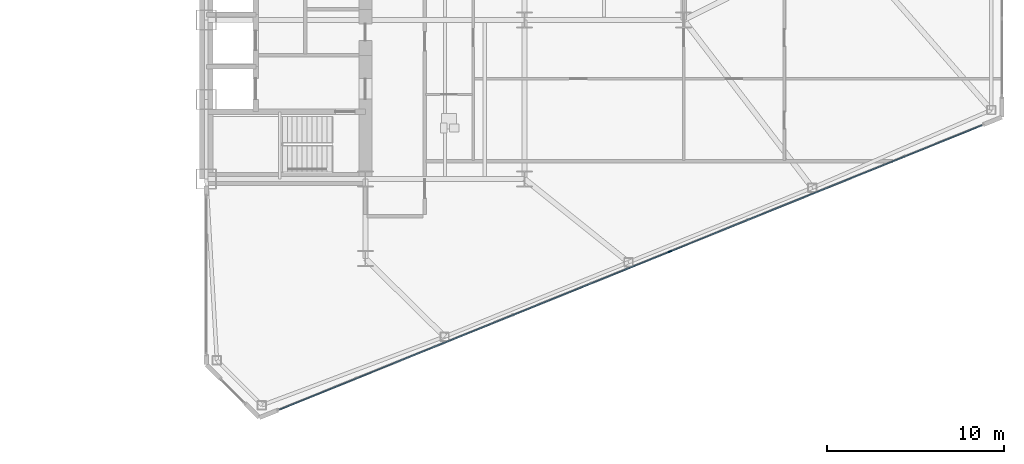
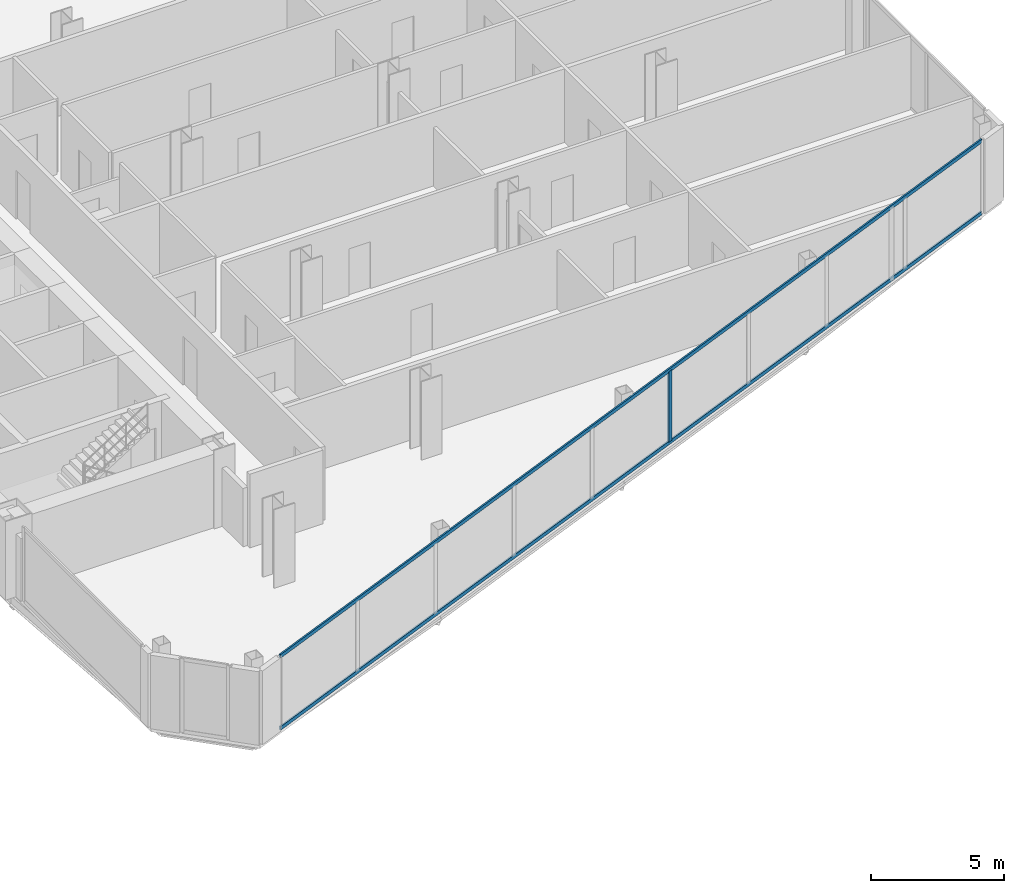
# One storey, part 10 of 25: 3 members, 1 element without a shape of its own.
"""IFC4 building model written with IfcOpenShell, lengths in metres."""

from ifc_helpers import new_model, si_unit, direction, frame, origin, origin_2d, place, context, subcontext, project, spatial, rectangle, extrude, source, transform, mapped, material, layer, layer_set, material_profile, profile_set, type_object, type_shapes, element, aggregate, save


model = new_model("IFC4")

# Units and contexts
model_context = context("Model", 3, precision=1e-05, world=origin(), true_north=direction((0.0, 1.0)))
body_context = subcontext(model_context, "Body", "Model", "MODEL_VIEW")
ifc_project = project(units=[si_unit("LENGTHUNIT", "METRE"), si_unit("AREAUNIT", "SQUARE_METRE"), si_unit("VOLUMEUNIT", "CUBIC_METRE"), si_unit("PLANEANGLEUNIT", "RADIAN"), si_unit("MASSUNIT", "GRAM", prefix="KILO")], contexts=[model_context])

# Site, building, storey
site_placement = place(None, origin())
site = spatial("IfcSite", under=ifc_project, at=site_placement, CompositionType="ELEMENT")
building_placement = place(site_placement, origin())
building = spatial("IfcBuilding", under=site, at=building_placement, Name="Seokmaru Belvedere", CompositionType="ELEMENT")
storey_placement = place(building_placement, frame((0.0, 0.0, 51.300048828125)))
storey = spatial("IfcBuildingStorey", under=building, at=storey_placement, Name="L13", CompositionType="ELEMENT", Elevation=51.300048828125)

# Curtain wall, members
ifc_material_1 = material(Name="Bronze Triple Insulating Glass", Category="glass")
ifc_layer = layer(ifc_material_1, 0.2099609375)
ifc_layer_set = layer_set([ifc_layer], Name="Bronze Triple Insulating Glass")
curtain_wall_type = type_object("IfcCurtainWallType", Name="Low-Rise Faceted Crystal Curtain Wall System CW-2", PredefinedType="NOTDEFINED", material=ifc_layer_set)
curtain_wall_placement = place(storey_placement, origin())
curtain_wall = element("IfcCurtainWall", 1, at=curtain_wall_placement, inside=storey, type_object=curtain_wall_type, Name="L13 Curtain Wall EF1", PredefinedType="NOTDEFINED")
ifc_material_2 = material(Name="Anodised Bronze Aluminium", Category="aluminium")
ifc_material_profile_1 = material_profile(ifc_material_2, rectangle(XDim=0.074951171875, YDim=0.2099609375, at=origin_2d()), Name="CW-M-75x210")
ifc_profile_set_1 = profile_set([ifc_material_profile_1], Name="Anodised Bronze Aluminium")
member_type_1 = type_object("IfcMemberType", Name="Bronze Unitised Mullion 75x210", PredefinedType="MULLION", material=ifc_profile_set_1)
shared_shape_1 = source(origin(), body_context, "Body", "SweptSolid", [
    extrude(rectangle(XDim=0.074951171875, YDim=0.2099609375, at=origin_2d()), origin(), (0.0, 0.0, 1.0), 3.239990234375),
])
type_shapes(member_type_1, [shared_shape_1])
member_1_placement = place(storey_placement, frame((53.71484375, -17.603515625, 0.070068359375), z_axis=(0.0, 0.0, 1.0), x_axis=(-0.375192321888, 0.926946989637, 0.0)))
member_1 = element("IfcMember", 2, at=member_1_placement, type_object=member_type_1, Name="CW:L13:EF1 Mullion 6", PredefinedType="MULLION", context=body_context, shape_type="MappedRepresentation", body=[
    mapped(shared_shape_1, transform((0.0, 0.0, 0.0), scale=1.0)),
])
ifc_material_profile_2 = material_profile(ifc_material_2, rectangle(XDim=0.070068359375, YDim=0.1650390625, at=origin_2d()), Name="CW-T-70x165")
ifc_profile_set_2 = profile_set([ifc_material_profile_2], Name="Anodised Bronze Aluminium")
member_type_2 = type_object("IfcMemberType", Name="Bronze Unitised Transom 70x165", PredefinedType="USERDEFINED", material=ifc_profile_set_2)
shared_shape_2 = source(origin(), body_context, "Body", "SweptSolid", [
    extrude(rectangle(XDim=0.070068359375, YDim=0.1650390625, at=origin_2d()), origin(), (0.0, 0.0, 1.0), 42.860107421875),
])
type_shapes(member_type_2, [shared_shape_2])
member_2_placement = place(storey_placement, frame((31.635498046875, -26.540283203125, 0.034912109375), z_axis=(0.926948605599, 0.375188329481, 0.0), x_axis=(-0.375188329481, 0.926948605599, 0.0)))
member_2 = element("IfcMember", 3, at=member_2_placement, type_object=member_type_2, Name="CW:L13:EF1 Continuous Transom 1", ObjectType="TRANSOM", PredefinedType="USERDEFINED", context=body_context, shape_type="MappedRepresentation", body=[
    mapped(shared_shape_2, transform((0.0, 0.0, 0.0), scale=1.0)),
])
member_3_placement = place(storey_placement, frame((31.635498046875, -26.540283203125, 3.344970703125), z_axis=(0.926948605599, 0.375188329481, 0.0), x_axis=(-0.375188329481, 0.926948605599, 0.0)))
member_3 = element("IfcMember", 4, at=member_3_placement, type_object=member_type_2, Name="CW:L13:EF1 Continuous Transom 2", ObjectType="TRANSOM", PredefinedType="USERDEFINED", context=body_context, shape_type="MappedRepresentation", body=[
    mapped(shared_shape_2, transform((0.0, 0.0, 0.0), scale=1.0)),
])
aggregate(curtain_wall, [member_1, member_2, member_3])

save(model, "model.ifc")
